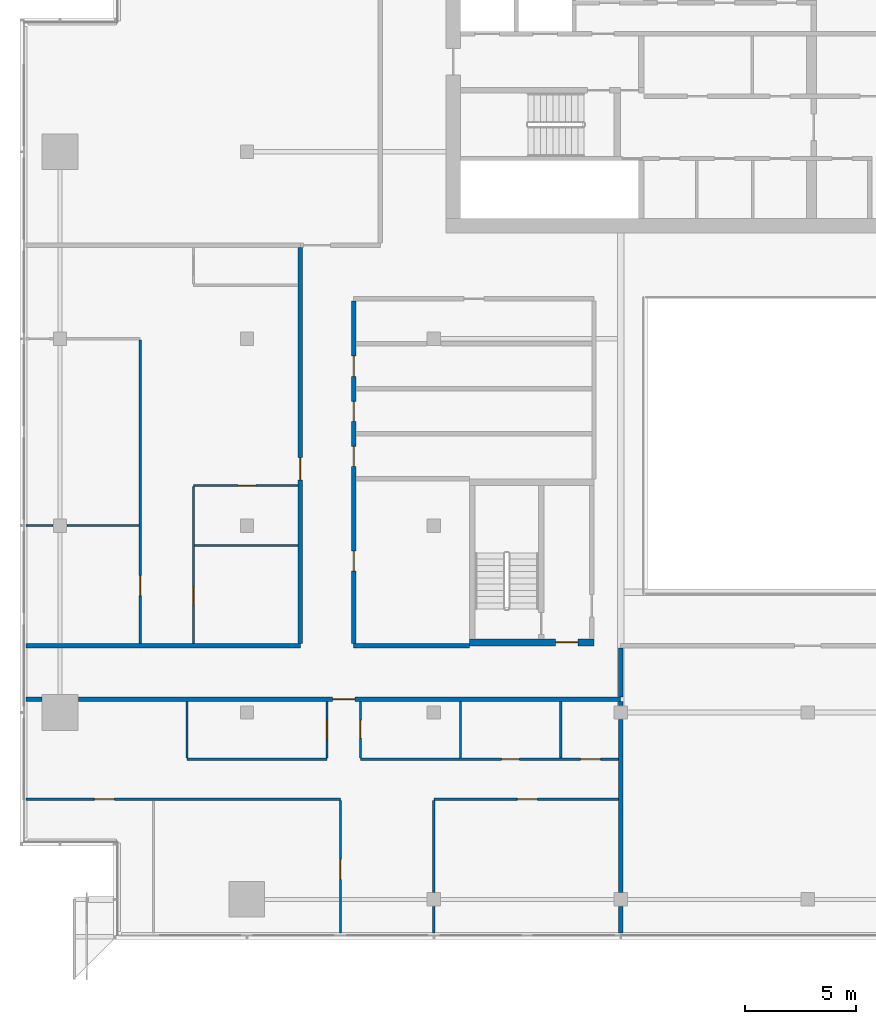
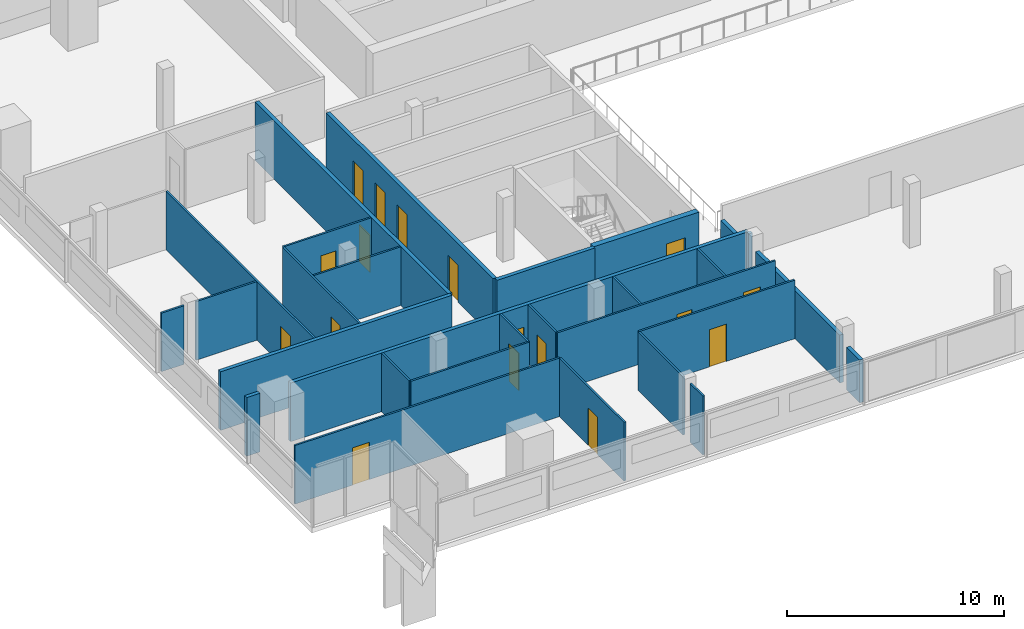
# One storey, part 17 of 25: 29 walls, 17 doors, 17 openings.
"""IFC4 building model written with IfcOpenShell, lengths in metres."""

from ifc_helpers import new_model, si_unit, direction, frame, frame_2d, origin, place, context, subcontext, project, spatial, rectangle, extrude, material, layer, layer_set, type_object, element, fill, save


model = new_model("IFC4")

# Units and contexts
model_context = context("Model", 3, precision=1e-05, world=origin(), true_north=direction((0.0, 1.0)))
body_context = subcontext(model_context, "Body", "Model", "MODEL_VIEW")
ifc_project = project(units=[si_unit("LENGTHUNIT", "METRE"), si_unit("AREAUNIT", "SQUARE_METRE"), si_unit("VOLUMEUNIT", "CUBIC_METRE"), si_unit("PLANEANGLEUNIT", "RADIAN"), si_unit("MASSUNIT", "GRAM", prefix="KILO")], contexts=[model_context])

# Site, building, storey
site_placement = place(None, origin())
site = spatial("IfcSite", under=ifc_project, at=site_placement, CompositionType="ELEMENT")
building_placement = place(site_placement, origin())
building = spatial("IfcBuilding", under=site, at=building_placement, Name="Saffron Gate Tower", CompositionType="ELEMENT")
storey_placement = place(building_placement, frame((0.0, 0.0, 248.699951171875)))
storey = spatial("IfcBuildingStorey", under=building, at=storey_placement, Name="L61", CompositionType="ELEMENT", Elevation=248.699951171875)

# Wall, opening, door
ifc_material_1 = material(Name="Concrete C60", Category="concrete")
ifc_layer_1 = layer(ifc_material_1, 0.300048828125)
ifc_layer_set_1 = layer_set([ifc_layer_1], Name="CW17 RC core wall 300 C60")
wall_type_1 = type_object("IfcWallType", Name="CW17 RC core wall 300 C60", PredefinedType="SOLIDWALL", material=ifc_layer_set_1)
wall_1_placement = place(storey_placement, frame((68.199951171875, 43.35009765625, 0.0), z_axis=(0.0, 0.0, 1.0), x_axis=(1.0, 0.0, 0.0)))
wall_1 = element("IfcWall", 1, at=wall_1_placement, inside=storey, type_object=wall_type_1, Name="Wall CW17-L61-D-1", PredefinedType="SOLIDWALL", context=body_context, shape_type="SweptSolid", body=[
    extrude(rectangle(XDim=5.60009765625, YDim=0.300048828125, at=frame_2d((2.800048828125, 0.0))), origin(), (0.0, 0.0, 1.0), 3.300048828125),
])
opening_1_placement = place(wall_1_placement, frame((3.875, 0.0, 0.0)))
opening_1 = element("IfcOpeningElement", 2, at=opening_1_placement, cuts=wall_1, Name="Opening CR-18", PredefinedType="OPENING", context=body_context, shape_type="SweptSolid", body=[
    extrude(rectangle(XDim=1.0, YDim=2.10009765625, at=frame_2d((0.5, 1.050048828125))), frame((0.0, 0.16015625, 0.0), z_axis=(0.0, -1.0, 0.0), x_axis=(1.0, 0.0, 0.0)), (0.0, 0.0, 1.0), 0.320068359375),
])
ifc_material_2 = material(Name="Steel fire door set", Category="steel")
door_type_1 = type_object("IfcDoorType", Name="CD4 Lobby door 1000x2100 EI 120", OperationType="NOTDEFINED", PredefinedType="DOOR", material=ifc_material_2)
door_1_placement = place(opening_1_placement, origin())
door_1 = element("IfcDoor", 3, at=door_1_placement, inside=storey, type_object=door_type_1, Name="DOOR CR-18", OperationType="SINGLE_SWING_RIGHT", OverallHeight=2.10009765625, OverallWidth=1.0, PredefinedType="DOOR", context=body_context, shape_type="SweptSolid", body=[
    extrude(rectangle(XDim=1.0, YDim=2.10009765625, at=frame_2d((0.5, 1.050048828125))), frame((0.0, 0.02490234375, 0.0), z_axis=(0.0, -1.0, 0.0), x_axis=(1.0, 0.0, 0.0)), (0.0, 0.0, 1.0), 0.050048828125),
])
fill(opening_1, door_1)

ifc_material_3 = material(Name="Plasterboard on steel studs", Category="steel")
ifc_layer_2 = layer(ifc_material_3, 0.10009765625)
ifc_layer_set_2 = layer_set([ifc_layer_2], Name="PW1 Partition 100")
wall_type_2 = type_object("IfcWallType", Name="PW1 Partition 100", PredefinedType="PARTITIONING", material=ifc_layer_set_2)
wall_2_placement = place(storey_placement, frame((62.39990234375, 36.300048828125, 0.0), z_axis=(0.0, 0.0, 1.0), x_axis=(-1.0, 0.0, 0.0)))
wall_2 = element("IfcWall", 4, at=wall_2_placement, inside=storey, type_object=wall_type_2, Name="Partition D5-1", PredefinedType="PARTITIONING", context=body_context, shape_type="SweptSolid", body=[
    extrude(rectangle(XDim=14.119873046875, YDim=0.10009765625, at=frame_2d((7.06005859375, 0.0))), origin(), (0.0, 0.0, 1.0), 3.300048828125),
])
opening_2_placement = place(wall_2_placement, frame((10.16259765625, 0.0, 0.0)))
opening_2 = element("IfcOpeningElement", 5, at=opening_2_placement, cuts=wall_2, Name="Opening D5-12", PredefinedType="OPENING", context=body_context, shape_type="SweptSolid", body=[
    extrude(rectangle(XDim=0.89990234375, YDim=2.10009765625, at=frame_2d((0.449951171875, 1.050048828125))), frame((0.0, 0.06005859375, 0.0), z_axis=(0.0, -1.0, 0.0), x_axis=(1.0, 0.0, 0.0)), (0.0, 0.0, 1.0), 0.1201171875),
])
ifc_material_4 = material(Name="Timber door set", Category="wood")
door_type_2 = type_object("IfcDoorType", Name="RD1 Room door 900x2100", OperationType="NOTDEFINED", PredefinedType="DOOR", material=ifc_material_4)
door_2_placement = place(opening_2_placement, origin())
door_2 = element("IfcDoor", 6, at=door_2_placement, inside=storey, type_object=door_type_2, Name="Door D5-12", OperationType="SINGLE_SWING_LEFT", OverallHeight=2.10009765625, OverallWidth=0.89990234375, PredefinedType="DOOR", context=body_context, shape_type="SweptSolid", body=[
    extrude(rectangle(XDim=0.89990234375, YDim=2.10009765625, at=frame_2d((0.449951171875, 1.050048828125))), frame((0.0, 0.02490234375, 0.0), z_axis=(0.0, -1.0, 0.0), x_axis=(1.0, 0.0, 0.0)), (0.0, 0.0, 1.0), 0.050048828125),
])
fill(opening_2, door_2)

wall_3_placement = place(storey_placement, frame((74.89990234375, 36.300048828125, 0.0), z_axis=(0.0, 0.0, 1.0), x_axis=(-1.0, 0.0, 0.0)))
wall_3 = element("IfcWall", 7, at=wall_3_placement, inside=storey, type_object=wall_type_2, Name="Partition D5-2", PredefinedType="PARTITIONING", context=body_context, shape_type="SweptSolid", body=[
    extrude(rectangle(XDim=8.2998046875, YDim=0.10009765625, at=frame_2d((4.14990234375, 0.0))), origin(), (0.0, 0.0, 1.0), 3.300048828125),
])
opening_3_placement = place(wall_3_placement, frame((3.64990234375, 0.0, 0.0)))
opening_3 = element("IfcOpeningElement", 8, at=opening_3_placement, cuts=wall_3, Name="Opening D5-14", PredefinedType="OPENING", context=body_context, shape_type="SweptSolid", body=[
    extrude(rectangle(XDim=0.89990234375, YDim=2.10009765625, at=frame_2d((0.449951171875, 1.050048828125))), frame((0.0, 0.06005859375, 0.0), z_axis=(0.0, -1.0, 0.0), x_axis=(1.0, 0.0, 0.0)), (0.0, 0.0, 1.0), 0.1201171875),
])
door_3_placement = place(opening_3_placement, origin())
door_3 = element("IfcDoor", 9, at=door_3_placement, inside=storey, type_object=door_type_2, Name="Door D5-14", OperationType="SINGLE_SWING_LEFT", OverallHeight=2.10009765625, OverallWidth=0.89990234375, PredefinedType="DOOR", context=body_context, shape_type="SweptSolid", body=[
    extrude(rectangle(XDim=0.89990234375, YDim=2.10009765625, at=frame_2d((0.449951171875, 1.050048828125))), frame((0.0, 0.02490234375, 0.0), z_axis=(0.0, -1.0, 0.0), x_axis=(1.0, 0.0, 0.0)), (0.0, 0.0, 1.0), 0.050048828125),
])
fill(opening_3, door_3)

# Wall
wall_4_placement = place(storey_placement, frame((55.5, 38.10009765625, 0.0), z_axis=(0.0, 0.0, 1.0), x_axis=(1.0, 0.0, 0.0)))
element("IfcWall", 10, at=wall_4_placement, inside=storey, type_object=wall_type_2, Name="Partition D5-3", PredefinedType="PARTITIONING", context=body_context, shape_type="SweptSolid", body=[
    extrude(rectangle(XDim=6.300048828125, YDim=0.10009765625, at=frame_2d((3.14990234375, 0.0))), origin(), (0.0, 0.0, 1.0), 3.300048828125),
])

# Wall, openings, doors
wall_5_placement = place(storey_placement, frame((63.300048828125, 38.10009765625, 0.0), z_axis=(0.0, 0.0, 1.0), x_axis=(1.0, 0.0, 0.0)))
wall_5 = element("IfcWall", 11, at=wall_5_placement, inside=storey, type_object=wall_type_2, Name="Partition D5-4", PredefinedType="PARTITIONING", context=body_context, shape_type="SweptSolid", body=[
    extrude(rectangle(XDim=11.599853515625, YDim=0.10009765625, at=frame_2d((5.7998046875, 0.0))), origin(), (0.0, 0.0, 1.0), 3.300048828125),
])
opening_4_placement = place(wall_5_placement, frame((6.35009765625, 0.0, 0.0)))
opening_4 = element("IfcOpeningElement", 12, at=opening_4_placement, cuts=wall_5, Name="Opening D5-23", PredefinedType="OPENING", context=body_context, shape_type="SweptSolid", body=[
    extrude(rectangle(XDim=0.800048828125, YDim=2.10009765625, at=frame_2d((0.39990234375, 1.050048828125))), frame((0.0, 0.06005859375, 0.0), z_axis=(0.0, -1.0, 0.0), x_axis=(1.0, 0.0, 0.0)), (0.0, 0.0, 1.0), 0.1201171875),
])
opening_5_placement = place(wall_5_placement, frame((9.89990234375, 0.0, 0.0)))
opening_5 = element("IfcOpeningElement", 13, at=opening_5_placement, cuts=wall_5, Name="Opening D5-16", PredefinedType="OPENING", context=body_context, shape_type="SweptSolid", body=[
    extrude(rectangle(XDim=0.89990234375, YDim=2.10009765625, at=frame_2d((0.449951171875, 1.050048828125))), frame((0.0, 0.06005859375, 0.0), z_axis=(0.0, -1.0, 0.0), x_axis=(1.0, 0.0, 0.0)), (0.0, 0.0, 1.0), 0.1201171875),
])
door_4_placement = place(opening_5_placement, origin())
door_4 = element("IfcDoor", 14, at=door_4_placement, inside=storey, type_object=door_type_2, Name="Door D5-16", OperationType="SINGLE_SWING_RIGHT", OverallHeight=2.10009765625, OverallWidth=0.89990234375, PredefinedType="DOOR", context=body_context, shape_type="SweptSolid", body=[
    extrude(rectangle(XDim=0.89990234375, YDim=2.10009765625, at=frame_2d((0.449951171875, 1.050048828125))), frame((0.0, 0.02490234375, 0.0), z_axis=(0.0, -1.0, 0.0), x_axis=(1.0, 0.0, 0.0)), (0.0, 0.0, 1.0), 0.050048828125),
])
fill(opening_5, door_4)
door_type_3 = type_object("IfcDoorType", Name="RD2 Bathroom door 800x2100", OperationType="NOTDEFINED", PredefinedType="DOOR", material=ifc_material_4)
door_5_placement = place(opening_4_placement, origin())
door_5 = element("IfcDoor", 15, at=door_5_placement, inside=storey, type_object=door_type_3, Name="Door D5-23", OperationType="SINGLE_SWING_RIGHT", OverallHeight=2.10009765625, OverallWidth=0.800048828125, PredefinedType="DOOR", context=body_context, shape_type="SweptSolid", body=[
    extrude(rectangle(XDim=0.800048828125, YDim=2.10009765625, at=frame_2d((0.39990234375, 1.050048828125))), frame((0.0, 0.02490234375, 0.0), z_axis=(0.0, -1.0, 0.0), x_axis=(1.0, 0.0, 0.0)), (0.0, 0.0, 1.0), 0.050048828125),
])
fill(opening_4, door_5)

# Walls
wall_6_placement = place(storey_placement, frame((55.85009765625, 47.699951171875, 0.0), z_axis=(0.0, 0.0, 1.0), x_axis=(1.0, 0.0, 0.0)))
element("IfcWall", 16, at=wall_6_placement, inside=storey, type_object=wall_type_2, Name="Partition D5-14", PredefinedType="PARTITIONING", context=body_context, shape_type="SweptSolid", body=[
    extrude(rectangle(XDim=4.64990234375, YDim=0.10009765625, at=frame_2d((2.324951171875, 0.0))), origin(), (0.0, 0.0, 1.0), 3.300048828125),
])
wall_7_placement = place(storey_placement, frame((48.280029296875, 48.60009765625, 0.0), z_axis=(0.0, 0.0, 1.0), x_axis=(1.0, 0.0, 0.0)))
element("IfcWall", 17, at=wall_7_placement, inside=storey, type_object=wall_type_2, Name="Partition D5-16", PredefinedType="PARTITIONING", context=body_context, shape_type="SweptSolid", body=[
    extrude(rectangle(XDim=1.199951171875, YDim=0.10009765625, at=frame_2d((0.60009765625, 0.0))), origin(), (0.0, 0.0, 1.0), 3.300048828125),
])
wall_8_placement = place(storey_placement, frame((50.1201171875, 48.60009765625, 0.0), z_axis=(0.0, 0.0, 1.0), x_axis=(1.0, 0.0, 0.0)))
element("IfcWall", 18, at=wall_8_placement, inside=storey, type_object=wall_type_2, Name="Partition D5-17", PredefinedType="PARTITIONING", context=body_context, shape_type="SweptSolid", body=[
    extrude(rectangle(XDim=3.22998046875, YDim=0.10009765625, at=frame_2d((1.614990234375, 0.0))), origin(), (0.0, 0.0, 1.0), 3.300048828125),
])

# Wall, opening, door
wall_9_placement = place(storey_placement, frame((60.5, 50.39990234375, 0.0), z_axis=(0.0, 0.0, 1.0), x_axis=(-1.0, 0.0, 0.0)))
wall_9 = element("IfcWall", 19, at=wall_9_placement, inside=storey, type_object=wall_type_2, Name="Partition D5-20", PredefinedType="PARTITIONING", context=body_context, shape_type="SweptSolid", body=[
    extrude(rectangle(XDim=4.699951171875, YDim=0.10009765625, at=frame_2d((2.35009765625, 0.0))), origin(), (0.0, 0.0, 1.0), 3.300048828125),
])
opening_6_placement = place(wall_9_placement, frame((1.89990234375, 0.0, 0.0)))
opening_6 = element("IfcOpeningElement", 20, at=opening_6_placement, cuts=wall_9, Name="Opening D5-25", PredefinedType="OPENING", context=body_context, shape_type="SweptSolid", body=[
    extrude(rectangle(XDim=0.800048828125, YDim=2.10009765625, at=frame_2d((0.39990234375, 1.050048828125))), frame((0.0, 0.06005859375, 0.0), z_axis=(0.0, -1.0, 0.0), x_axis=(1.0, 0.0, 0.0)), (0.0, 0.0, 1.0), 0.1201171875),
])
door_6_placement = place(opening_6_placement, origin())
door_6 = element("IfcDoor", 21, at=door_6_placement, inside=storey, type_object=door_type_3, Name="Door D5-25", OperationType="SINGLE_SWING_LEFT", OverallHeight=2.10009765625, OverallWidth=0.800048828125, PredefinedType="DOOR", context=body_context, shape_type="SweptSolid", body=[
    extrude(rectangle(XDim=0.800048828125, YDim=2.10009765625, at=frame_2d((0.39990234375, 1.050048828125))), frame((0.0, 0.02490234375, 0.0), z_axis=(0.0, -1.0, 0.0), x_axis=(1.0, 0.0, 0.0)), (0.0, 0.0, 1.0), 0.050048828125),
])
fill(opening_6, door_6)

wall_10_placement = place(storey_placement, frame((53.39990234375, 43.300048828125, 0.0), z_axis=(0.0, 0.0, 1.0), x_axis=(0.0, 1.0, 0.0)))
wall_10 = element("IfcWall", 22, at=wall_10_placement, inside=storey, type_object=wall_type_2, Name="Partition D5-42", PredefinedType="PARTITIONING", context=body_context, shape_type="SweptSolid", body=[
    extrude(rectangle(XDim=13.64990234375, YDim=0.10009765625, at=frame_2d((6.824951171875, 0.0))), origin(), (0.0, 0.0, 1.0), 3.300048828125),
])
opening_7_placement = place(wall_10_placement, frame((2.14990234375, 0.0, 0.0)))
opening_7 = element("IfcOpeningElement", 23, at=opening_7_placement, cuts=wall_10, Name="Opening D5-17", PredefinedType="OPENING", context=body_context, shape_type="SweptSolid", body=[
    extrude(rectangle(XDim=0.89990234375, YDim=2.10009765625, at=frame_2d((0.449951171875, 1.050048828125))), frame((0.0, 0.06005859375, 0.0), z_axis=(0.0, -1.0, 0.0), x_axis=(1.0, 0.0, 0.0)), (0.0, 0.0, 1.0), 0.1201171875),
])
door_7_placement = place(opening_7_placement, origin())
door_7 = element("IfcDoor", 24, at=door_7_placement, inside=storey, type_object=door_type_2, Name="Door D5-17", OperationType="SINGLE_SWING_LEFT", OverallHeight=2.10009765625, OverallWidth=0.89990234375, PredefinedType="DOOR", context=body_context, shape_type="SweptSolid", body=[
    extrude(rectangle(XDim=0.89990234375, YDim=2.10009765625, at=frame_2d((0.449951171875, 1.050048828125))), frame((0.0, 0.02490234375, 0.0), z_axis=(0.0, -1.0, 0.0), x_axis=(1.0, 0.0, 0.0)), (0.0, 0.0, 1.0), 0.050048828125),
])
fill(opening_7, door_7)

# Wall
wall_11_placement = place(storey_placement, frame((55.5, 40.699951171875, 0.0), z_axis=(0.0, 0.0, 1.0), x_axis=(0.0, -1.0, 0.0)))
element("IfcWall", 25, at=wall_11_placement, inside=storey, type_object=wall_type_2, Name="Partition D5-44", PredefinedType="PARTITIONING", context=body_context, shape_type="SweptSolid", body=[
    extrude(rectangle(XDim=2.550048828125, YDim=0.10009765625, at=frame_2d((1.27490234375, 0.0))), origin(), (0.0, 0.0, 1.0), 3.300048828125),
])

# Wall, opening, door
wall_12_placement = place(storey_placement, frame((55.800048828125, 50.35009765625, 0.0), z_axis=(0.0, 0.0, 1.0), x_axis=(0.0, -1.0, 0.0)))
wall_12 = element("IfcWall", 26, at=wall_12_placement, inside=storey, type_object=wall_type_2, Name="Partition D5-45", PredefinedType="PARTITIONING", context=body_context, shape_type="SweptSolid", body=[
    extrude(rectangle(XDim=7.050048828125, YDim=0.10009765625, at=frame_2d((3.52490234375, 0.0))), origin(), (0.0, 0.0, 1.0), 3.300048828125),
])
opening_8_placement = place(wall_12_placement, frame((4.5, 0.0, 0.0)))
opening_8 = element("IfcOpeningElement", 27, at=opening_8_placement, cuts=wall_12, Name="Opening D5-24", PredefinedType="OPENING", context=body_context, shape_type="SweptSolid", body=[
    extrude(rectangle(XDim=0.800048828125, YDim=2.10009765625, at=frame_2d((0.39990234375, 1.050048828125))), frame((0.0, 0.06005859375, 0.0), z_axis=(0.0, -1.0, 0.0), x_axis=(1.0, 0.0, 0.0)), (0.0, 0.0, 1.0), 0.1201171875),
])
door_8_placement = place(opening_8_placement, origin())
door_8 = element("IfcDoor", 28, at=door_8_placement, inside=storey, type_object=door_type_3, Name="Door D5-24", OperationType="SINGLE_SWING_RIGHT", OverallHeight=2.10009765625, OverallWidth=0.800048828125, PredefinedType="DOOR", context=body_context, shape_type="SweptSolid", body=[
    extrude(rectangle(XDim=0.800048828125, YDim=2.10009765625, at=frame_2d((0.39990234375, 1.050048828125))), frame((0.0, 0.02490234375, 0.0), z_axis=(0.0, -1.0, 0.0), x_axis=(1.0, 0.0, 0.0)), (0.0, 0.0, 1.0), 0.050048828125),
])
fill(opening_8, door_8)

wall_13_placement = place(storey_placement, frame((61.800048828125, 38.14990234375, 0.0), z_axis=(0.0, 0.0, 1.0), x_axis=(0.0, 1.0, 0.0)))
wall_13 = element("IfcWall", 29, at=wall_13_placement, inside=storey, type_object=wall_type_2, Name="Partition D5-48", PredefinedType="PARTITIONING", context=body_context, shape_type="SweptSolid", body=[
    extrude(rectangle(XDim=2.550048828125, YDim=0.10009765625, at=frame_2d((1.27490234375, 0.0))), origin(), (0.0, 0.0, 1.0), 3.300048828125),
])
opening_9_placement = place(wall_13_placement, frame((0.85009765625, 0.0, 0.0)))
opening_9 = element("IfcOpeningElement", 30, at=opening_9_placement, cuts=wall_13, Name="Opening D5-15", PredefinedType="OPENING", context=body_context, shape_type="SweptSolid", body=[
    extrude(rectangle(XDim=0.89990234375, YDim=2.10009765625, at=frame_2d((0.449951171875, 1.050048828125))), frame((0.0, 0.06005859375, 0.0), z_axis=(0.0, -1.0, 0.0), x_axis=(1.0, 0.0, 0.0)), (0.0, 0.0, 1.0), 0.1201171875),
])
door_9_placement = place(opening_9_placement, origin())
door_9 = element("IfcDoor", 31, at=door_9_placement, inside=storey, type_object=door_type_2, Name="Door D5-15", OperationType="SINGLE_SWING_RIGHT", OverallHeight=2.10009765625, OverallWidth=0.89990234375, PredefinedType="DOOR", context=body_context, shape_type="SweptSolid", body=[
    extrude(rectangle(XDim=0.89990234375, YDim=2.10009765625, at=frame_2d((0.449951171875, 1.050048828125))), frame((0.0, 0.02490234375, 0.0), z_axis=(0.0, -1.0, 0.0), x_axis=(1.0, 0.0, 0.0)), (0.0, 0.0, 1.0), 0.050048828125),
])
fill(opening_9, door_9)

wall_14_placement = place(storey_placement, frame((62.39990234375, 30.280029296875, 0.0), z_axis=(0.0, 0.0, 1.0), x_axis=(0.0, 1.0, 0.0)))
wall_14 = element("IfcWall", 32, at=wall_14_placement, inside=storey, type_object=wall_type_2, Name="Partition D5-49", PredefinedType="PARTITIONING", context=body_context, shape_type="SweptSolid", body=[
    extrude(rectangle(XDim=5.969970703125, YDim=0.10009765625, at=frame_2d((2.98486328125, 0.0))), origin(), (0.0, 0.0, 1.0), 3.300048828125),
])
opening_10_placement = place(wall_14_placement, frame((2.419921875, 0.0, 0.0)))
opening_10 = element("IfcOpeningElement", 33, at=opening_10_placement, cuts=wall_14, Name="Opening D5-13", PredefinedType="OPENING", context=body_context, shape_type="SweptSolid", body=[
    extrude(rectangle(XDim=0.89990234375, YDim=2.10009765625, at=frame_2d((0.449951171875, 1.050048828125))), frame((0.0, 0.06005859375, 0.0), z_axis=(0.0, -1.0, 0.0), x_axis=(1.0, 0.0, 0.0)), (0.0, 0.0, 1.0), 0.1201171875),
])
door_10_placement = place(opening_10_placement, origin())
door_10 = element("IfcDoor", 34, at=door_10_placement, inside=storey, type_object=door_type_2, Name="Door D5-13", OperationType="SINGLE_SWING_LEFT", OverallHeight=2.10009765625, OverallWidth=0.89990234375, PredefinedType="DOOR", context=body_context, shape_type="SweptSolid", body=[
    extrude(rectangle(XDim=0.89990234375, YDim=2.10009765625, at=frame_2d((0.449951171875, 1.050048828125))), frame((0.0, 0.02490234375, 0.0), z_axis=(0.0, -1.0, 0.0), x_axis=(1.0, 0.0, 0.0)), (0.0, 0.0, 1.0), 0.050048828125),
])
fill(opening_10, door_10)

wall_15_placement = place(storey_placement, frame((63.300048828125, 40.699951171875, 0.0), z_axis=(0.0, 0.0, 1.0), x_axis=(0.0, -1.0, 0.0)))
wall_15 = element("IfcWall", 35, at=wall_15_placement, inside=storey, type_object=wall_type_2, Name="Partition D5-51", PredefinedType="PARTITIONING", context=body_context, shape_type="SweptSolid", body=[
    extrude(rectangle(XDim=2.550048828125, YDim=0.10009765625, at=frame_2d((1.27490234375, 0.0))), origin(), (0.0, 0.0, 1.0), 3.300048828125),
])
opening_11_placement = place(wall_15_placement, frame((0.85009765625, 0.0, 0.0)))
opening_11 = element("IfcOpeningElement", 36, at=opening_11_placement, cuts=wall_15, Name="Opening D5-22", PredefinedType="OPENING", context=body_context, shape_type="SweptSolid", body=[
    extrude(rectangle(XDim=0.800048828125, YDim=2.10009765625, at=frame_2d((0.39990234375, 1.050048828125))), frame((0.0, 0.06005859375, 0.0), z_axis=(0.0, -1.0, 0.0), x_axis=(1.0, 0.0, 0.0)), (0.0, 0.0, 1.0), 0.1201171875),
])
door_11_placement = place(opening_11_placement, origin())
door_11 = element("IfcDoor", 37, at=door_11_placement, inside=storey, type_object=door_type_3, Name="Door D5-22", OperationType="SINGLE_SWING_LEFT", OverallHeight=2.10009765625, OverallWidth=0.800048828125, PredefinedType="DOOR", context=body_context, shape_type="SweptSolid", body=[
    extrude(rectangle(XDim=0.800048828125, YDim=2.10009765625, at=frame_2d((0.39990234375, 1.050048828125))), frame((0.0, 0.02490234375, 0.0), z_axis=(0.0, -1.0, 0.0), x_axis=(1.0, 0.0, 0.0)), (0.0, 0.0, 1.0), 0.050048828125),
])
fill(opening_11, door_11)

# Walls
wall_16_placement = place(storey_placement, frame((66.60009765625, 31.47998046875, 0.0), z_axis=(0.0, 0.0, 1.0), x_axis=(0.0, -1.0, 0.0)))
element("IfcWall", 38, at=wall_16_placement, inside=storey, type_object=wall_type_2, Name="Partition D5-53", PredefinedType="PARTITIONING", context=body_context, shape_type="SweptSolid", body=[
    extrude(rectangle(XDim=1.199951171875, YDim=0.10009765625, at=frame_2d((0.60009765625, 0.0))), origin(), (0.0, 0.0, 1.0), 3.300048828125),
])
wall_17_placement = place(storey_placement, frame((66.60009765625, 36.25, 0.0), z_axis=(0.0, 0.0, 1.0), x_axis=(0.0, -1.0, 0.0)))
element("IfcWall", 39, at=wall_17_placement, inside=storey, type_object=wall_type_2, Name="Partition D5-54", PredefinedType="PARTITIONING", context=body_context, shape_type="SweptSolid", body=[
    extrude(rectangle(XDim=4.1298828125, YDim=0.10009765625, at=frame_2d((2.06494140625, 0.0))), origin(), (0.0, 0.0, 1.0), 3.300048828125),
])
for number, where, z_axis, x_axis, name in (
    (40, (67.800048828125, 40.699951171875, 0.0), (0.0, 0.0, 1.0), (0.0, -1.0, 0.0), "Partition D5-55"),
    (41, (72.300048828125, 40.699951171875, 0.0), (0.0, 0.0, 1.0), (0.0, -1.0, 0.0), "Partition D5-56"),
):
    element("IfcWall", number, at=place(storey_placement, frame(where, z_axis=z_axis, x_axis=x_axis)), inside=storey, type_object=wall_type_2, Name=name, PredefinedType="PARTITIONING", context=body_context, shape_type="SweptSolid", body=[
        extrude(rectangle(XDim=2.550048828125, YDim=0.10009765625, at=frame_2d((1.27490234375, 0.0))), origin(), (0.0, 0.0, 1.0), 3.300048828125),
    ])
ifc_material_5 = material(Name="Clay brick masonry, rendered", Category="masonry")
ifc_layer_3 = layer(ifc_material_5, 0.199951171875)
ifc_layer_set_3 = layer_set([ifc_layer_3], Name="PW3 Corridor wall 200")
wall_type_3 = type_object("IfcWallType", Name="PW3 Corridor wall 200", PredefinedType="PARTITIONING", material=ifc_layer_set_3)
wall_18_placement = place(storey_placement, frame((48.280029296875, 40.800048828125, 0.0), z_axis=(0.0, 0.0, 1.0), x_axis=(1.0, 0.0, 0.0)))
element("IfcWall", 42, at=wall_18_placement, inside=storey, type_object=wall_type_3, Name="Wall D5-5", PredefinedType="PARTITIONING", context=body_context, shape_type="SweptSolid", body=[
    extrude(rectangle(XDim=0.699951171875, YDim=0.199951171875, at=frame_2d((0.35009765625, 0.0))), origin(), (0.0, 0.0, 1.0), 3.300048828125),
])

# Wall, opening, door
wall_19_placement = place(storey_placement, frame((75.0, 40.800048828125, 0.0), z_axis=(0.0, 0.0, 1.0), x_axis=(-1.0, 0.0, 0.0)))
wall_19 = element("IfcWall", 43, at=wall_19_placement, inside=storey, type_object=wall_type_3, Name="Wall D5-6", PredefinedType="PARTITIONING", context=body_context, shape_type="SweptSolid", body=[
    extrude(rectangle(XDim=24.3798828125, YDim=0.199951171875, at=frame_2d((12.18994140625, 0.0))), origin(), (0.0, 0.0, 1.0), 3.300048828125),
])
opening_12_placement = place(wall_19_placement, frame((11.949951171875, 0.0, 0.0)))
opening_12 = element("IfcOpeningElement", 44, at=opening_12_placement, cuts=wall_19, Name="Opening D5-1", PredefinedType="OPENING", context=body_context, shape_type="SweptSolid", body=[
    extrude(rectangle(XDim=1.0, YDim=2.10009765625, at=frame_2d((0.5, 1.050048828125))), frame((0.0, 0.10986328125, 0.0), z_axis=(0.0, -1.0, 0.0), x_axis=(1.0, 0.0, 0.0)), (0.0, 0.0, 1.0), 0.219970703125),
])
ifc_material_6 = material(Name="Timber fire door set", Category="wood")
door_type_4 = type_object("IfcDoorType", Name="FD1 Flat entry door 1000x2100", OperationType="NOTDEFINED", PredefinedType="DOOR", material=ifc_material_6)
door_12_placement = place(opening_12_placement, origin())
door_12 = element("IfcDoor", 45, at=door_12_placement, inside=storey, type_object=door_type_4, Name="Door D5-1", OperationType="SINGLE_SWING_LEFT", OverallHeight=2.10009765625, OverallWidth=1.0, PredefinedType="DOOR", context=body_context, shape_type="SweptSolid", body=[
    extrude(rectangle(XDim=1.0, YDim=2.10009765625, at=frame_2d((0.5, 1.050048828125))), frame((0.0, 0.02490234375, 0.0), z_axis=(0.0, -1.0, 0.0), x_axis=(1.0, 0.0, 0.0)), (0.0, 0.0, 1.0), 0.050048828125),
])
fill(opening_12, door_12)

# Walls
wall_20_placement = place(storey_placement, frame((48.280029296875, 43.199951171875, 0.0), z_axis=(0.0, 0.0, 1.0), x_axis=(1.0, 0.0, 0.0)))
element("IfcWall", 46, at=wall_20_placement, inside=storey, type_object=wall_type_3, Name="Wall D5-9", PredefinedType="PARTITIONING", context=body_context, shape_type="SweptSolid", body=[
    extrude(rectangle(XDim=12.320068359375, YDim=0.199951171875, at=frame_2d((6.16015625, 0.0))), origin(), (0.0, 0.0, 1.0), 3.300048828125),
])
wall_21_placement = place(storey_placement, frame((63.0, 43.199951171875, 0.0), z_axis=(0.0, 0.0, 1.0), x_axis=(1.0, 0.0, 0.0)))
element("IfcWall", 47, at=wall_21_placement, inside=storey, type_object=wall_type_3, Name="Wall D5-10", PredefinedType="PARTITIONING", context=body_context, shape_type="SweptSolid", body=[
    extrude(rectangle(XDim=5.199951171875, YDim=0.199951171875, at=frame_2d((2.60009765625, 0.0))), origin(), (0.0, 0.0, 1.0), 3.300048828125),
])

# Wall, opening, door
wall_22_placement = place(storey_placement, frame((60.60009765625, 43.300048828125, 0.0), z_axis=(0.0, 0.0, 1.0), x_axis=(0.0, 1.0, 0.0)))
wall_22 = element("IfcWall", 48, at=wall_22_placement, inside=storey, type_object=wall_type_3, Name="Wall D5-47", PredefinedType="PARTITIONING", context=body_context, shape_type="SweptSolid", body=[
    extrude(rectangle(XDim=17.800048828125, YDim=0.199951171875, at=frame_2d((8.89990234375, 0.0))), origin(), (0.0, 0.0, 1.0), 3.300048828125),
])
opening_13_placement = place(wall_22_placement, frame((7.35009765625, 0.0, 0.0)))
opening_13 = element("IfcOpeningElement", 49, at=opening_13_placement, cuts=wall_22, Name="Opening D5-2", PredefinedType="OPENING", context=body_context, shape_type="SweptSolid", body=[
    extrude(rectangle(XDim=1.0, YDim=2.10009765625, at=frame_2d((0.5, 1.050048828125))), frame((0.0, 0.10986328125, 0.0), z_axis=(0.0, -1.0, 0.0), x_axis=(1.0, 0.0, 0.0)), (0.0, 0.0, 1.0), 0.219970703125),
])
door_13_placement = place(opening_13_placement, origin())
door_13 = element("IfcDoor", 50, at=door_13_placement, inside=storey, type_object=door_type_4, Name="Door D5-2", OperationType="SINGLE_SWING_RIGHT", OverallHeight=2.10009765625, OverallWidth=1.0, PredefinedType="DOOR", context=body_context, shape_type="SweptSolid", body=[
    extrude(rectangle(XDim=1.0, YDim=2.10009765625, at=frame_2d((0.5, 1.050048828125))), frame((0.0, 0.02490234375, 0.0), z_axis=(0.0, -1.0, 0.0), x_axis=(1.0, 0.0, 0.0)), (0.0, 0.0, 1.0), 0.050048828125),
])
fill(opening_13, door_13)

# Wall, openings, doors
wall_23_placement = place(storey_placement, frame((63.0, 58.699951171875, 0.0), z_axis=(0.0, 0.0, 1.0), x_axis=(0.0, -1.0, 0.0)))
wall_23 = element("IfcWall", 51, at=wall_23_placement, inside=storey, type_object=wall_type_3, Name="Wall D5-50", PredefinedType="PARTITIONING", context=body_context, shape_type="SweptSolid", body=[
    extrude(rectangle(XDim=15.39990234375, YDim=0.199951171875, at=frame_2d((7.699951171875, 0.0))), origin(), (0.0, 0.0, 1.0), 3.300048828125),
])
opening_14_placement = place(wall_23_placement, frame((2.487548828125, 0.0, 0.0)))
opening_14 = element("IfcOpeningElement", 52, at=opening_14_placement, cuts=wall_23, Name="Opening D5-10", PredefinedType="OPENING", context=body_context, shape_type="SweptSolid", body=[
    extrude(rectangle(XDim=0.89990234375, YDim=2.10009765625, at=frame_2d((0.449951171875, 1.050048828125))), frame((0.0, 0.10986328125, 0.0), z_axis=(0.0, -1.0, 0.0), x_axis=(1.0, 0.0, 0.0)), (0.0, 0.0, 1.0), 0.219970703125),
])
opening_15_placement = place(wall_23_placement, frame((4.512451171875, 0.0, 0.0)))
opening_15 = element("IfcOpeningElement", 53, at=opening_15_placement, cuts=wall_23, Name="Opening D5-9", PredefinedType="OPENING", context=body_context, shape_type="SweptSolid", body=[
    extrude(rectangle(XDim=0.89990234375, YDim=2.10009765625, at=frame_2d((0.449951171875, 1.050048828125))), frame((0.0, 0.10986328125, 0.0), z_axis=(0.0, -1.0, 0.0), x_axis=(1.0, 0.0, 0.0)), (0.0, 0.0, 1.0), 0.219970703125),
])
opening_16_placement = place(wall_23_placement, frame((6.53759765625, 0.0, 0.0)))
opening_16 = element("IfcOpeningElement", 54, at=opening_16_placement, cuts=wall_23, Name="Opening D5-8", PredefinedType="OPENING", context=body_context, shape_type="SweptSolid", body=[
    extrude(rectangle(XDim=0.89990234375, YDim=2.10009765625, at=frame_2d((0.449951171875, 1.050048828125))), frame((0.0, 0.10986328125, 0.0), z_axis=(0.0, -1.0, 0.0), x_axis=(1.0, 0.0, 0.0)), (0.0, 0.0, 1.0), 0.219970703125),
])
opening_17_placement = place(wall_23_placement, frame((11.25, 0.0, 0.0)))
opening_17 = element("IfcOpeningElement", 55, at=opening_17_placement, cuts=wall_23, Name="Opening D5-29", PredefinedType="OPENING", context=body_context, shape_type="SweptSolid", body=[
    extrude(rectangle(XDim=0.89990234375, YDim=2.10009765625, at=frame_2d((0.449951171875, 1.050048828125))), frame((0.0, 0.10986328125, 0.0), z_axis=(0.0, -1.0, 0.0), x_axis=(1.0, 0.0, 0.0)), (0.0, 0.0, 1.0), 0.219970703125),
])
door_14_placement = place(opening_14_placement, origin())
door_14 = element("IfcDoor", 56, at=door_14_placement, inside=storey, type_object=door_type_2, Name="Door D5-10", OperationType="SINGLE_SWING_RIGHT", OverallHeight=2.10009765625, OverallWidth=0.89990234375, PredefinedType="DOOR", context=body_context, shape_type="SweptSolid", body=[
    extrude(rectangle(XDim=0.89990234375, YDim=2.10009765625, at=frame_2d((0.449951171875, 1.050048828125))), frame((0.0, 0.02490234375, 0.0), z_axis=(0.0, -1.0, 0.0), x_axis=(1.0, 0.0, 0.0)), (0.0, 0.0, 1.0), 0.050048828125),
])
fill(opening_14, door_14)
door_15_placement = place(opening_15_placement, origin())
door_15 = element("IfcDoor", 57, at=door_15_placement, inside=storey, type_object=door_type_2, Name="Door D5-9", OperationType="SINGLE_SWING_RIGHT", OverallHeight=2.10009765625, OverallWidth=0.89990234375, PredefinedType="DOOR", context=body_context, shape_type="SweptSolid", body=[
    extrude(rectangle(XDim=0.89990234375, YDim=2.10009765625, at=frame_2d((0.449951171875, 1.050048828125))), frame((0.0, 0.02490234375, 0.0), z_axis=(0.0, -1.0, 0.0), x_axis=(1.0, 0.0, 0.0)), (0.0, 0.0, 1.0), 0.050048828125),
])
fill(opening_15, door_15)
door_16_placement = place(opening_16_placement, origin())
door_16 = element("IfcDoor", 58, at=door_16_placement, inside=storey, type_object=door_type_2, Name="Door D5-8", OperationType="SINGLE_SWING_RIGHT", OverallHeight=2.10009765625, OverallWidth=0.89990234375, PredefinedType="DOOR", context=body_context, shape_type="SweptSolid", body=[
    extrude(rectangle(XDim=0.89990234375, YDim=2.10009765625, at=frame_2d((0.449951171875, 1.050048828125))), frame((0.0, 0.02490234375, 0.0), z_axis=(0.0, -1.0, 0.0), x_axis=(1.0, 0.0, 0.0)), (0.0, 0.0, 1.0), 0.050048828125),
])
fill(opening_16, door_16)
door_type_5 = type_object("IfcDoorType", Name="SD1 Service door 900x2100", OperationType="NOTDEFINED", PredefinedType="DOOR", material=ifc_material_2)
door_17_placement = place(opening_17_placement, origin())
door_17 = element("IfcDoor", 59, at=door_17_placement, inside=storey, type_object=door_type_5, Name="Door D5-29", OperationType="SINGLE_SWING_RIGHT", OverallHeight=2.10009765625, OverallWidth=0.89990234375, PredefinedType="DOOR", context=body_context, shape_type="SweptSolid", body=[
    extrude(rectangle(XDim=0.89990234375, YDim=2.10009765625, at=frame_2d((0.449951171875, 1.050048828125))), frame((0.0, 0.02490234375, 0.0), z_axis=(0.0, -1.0, 0.0), x_axis=(1.0, 0.0, 0.0)), (0.0, 0.0, 1.0), 0.050048828125),
])
fill(opening_17, door_17)

# Walls
wall_24_placement = place(storey_placement, frame((75.0, 43.10009765625, 0.0), z_axis=(0.0, 0.0, 1.0), x_axis=(0.0, -1.0, 0.0)))
element("IfcWall", 60, at=wall_24_placement, inside=storey, type_object=wall_type_3, Name="Wall D5-58", PredefinedType="PARTITIONING", context=body_context, shape_type="SweptSolid", body=[
    extrude(rectangle(XDim=2.2001953125, YDim=0.199951171875, at=frame_2d((1.10009765625, 0.0))), origin(), (0.0, 0.0, 1.0), 2.510009765625),
])
ifc_layer_4 = layer(ifc_material_5, 0.199951171875)
ifc_layer_set_4 = layer_set([ifc_layer_4], Name="PW5 Room wall 200")
wall_type_4 = type_object("IfcWallType", Name="PW5 Room wall 200", PredefinedType="PARTITIONING", material=ifc_layer_set_4)
wall_25_placement = place(storey_placement, frame((75.0, 31.47998046875, 0.0), z_axis=(0.0, 0.0, 1.0), x_axis=(0.0, -1.0, 0.0)))
element("IfcWall", 61, at=wall_25_placement, inside=storey, type_object=wall_type_4, Name="Wall D5-59", PredefinedType="PARTITIONING", context=body_context, shape_type="SweptSolid", body=[
    extrude(rectangle(XDim=1.199951171875, YDim=0.199951171875, at=frame_2d((0.60009765625, 0.0))), origin(), (0.0, 0.0, 1.0), 2.41015625),
])
wall_26_placement = place(storey_placement, frame((75.0, 39.8798828125, 0.0), z_axis=(0.0, 0.0, 1.0), x_axis=(0.0, -1.0, 0.0)))
element("IfcWall", 62, at=wall_26_placement, inside=storey, type_object=wall_type_4, Name="Wall D5-60", PredefinedType="PARTITIONING", context=body_context, shape_type="SweptSolid", body=[
    extrude(rectangle(XDim=7.759765625, YDim=0.199951171875, at=frame_2d((3.8798828125, 0.0))), origin(), (0.0, 0.0, 1.0), 2.699951171875),
])
wall_27_placement = place(storey_placement, frame((75.0, 40.699951171875, 0.0), z_axis=(0.0, 0.0, 1.0), x_axis=(0.0, -1.0, 0.0)))
element("IfcWall", 63, at=wall_27_placement, inside=storey, type_object=wall_type_4, Name="Wall D5-61", PredefinedType="PARTITIONING", context=body_context, shape_type="SweptSolid", body=[
    extrude(rectangle(XDim=0.179931640625, YDim=0.199951171875, at=frame_2d((0.08984375, 0.0))), origin(), (0.0, 0.0, 1.0), 3.300048828125),
])

save(model, "model.ifc")
